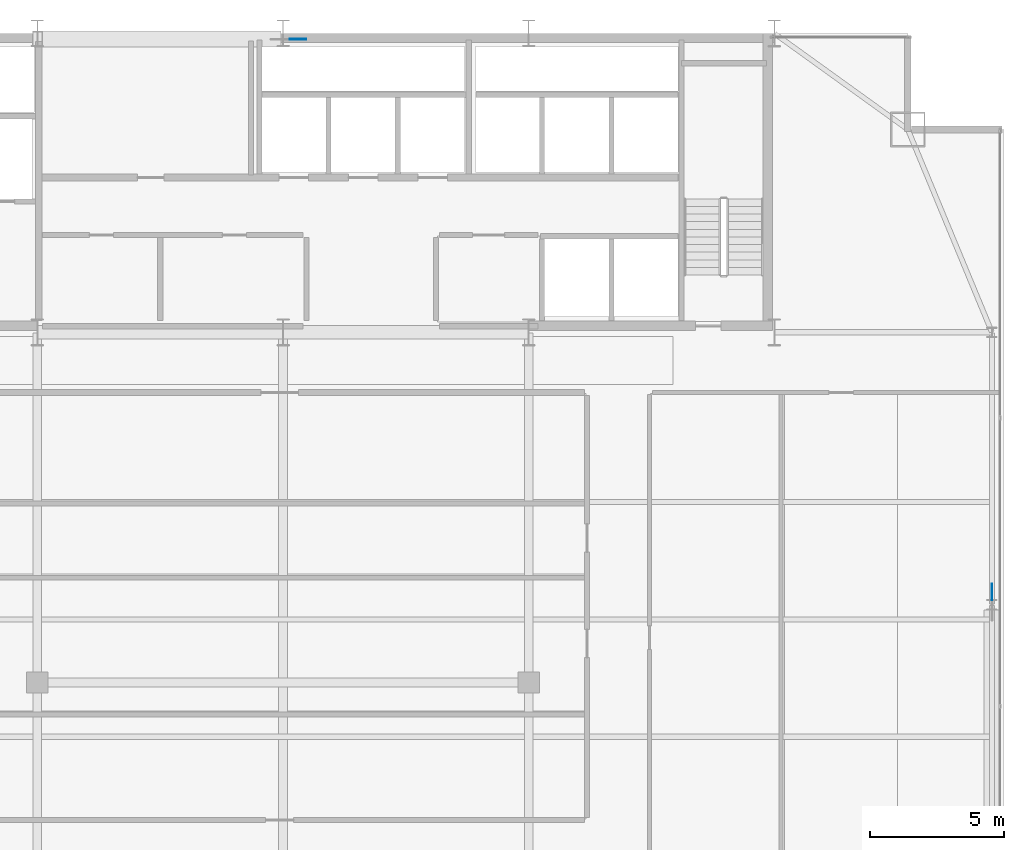
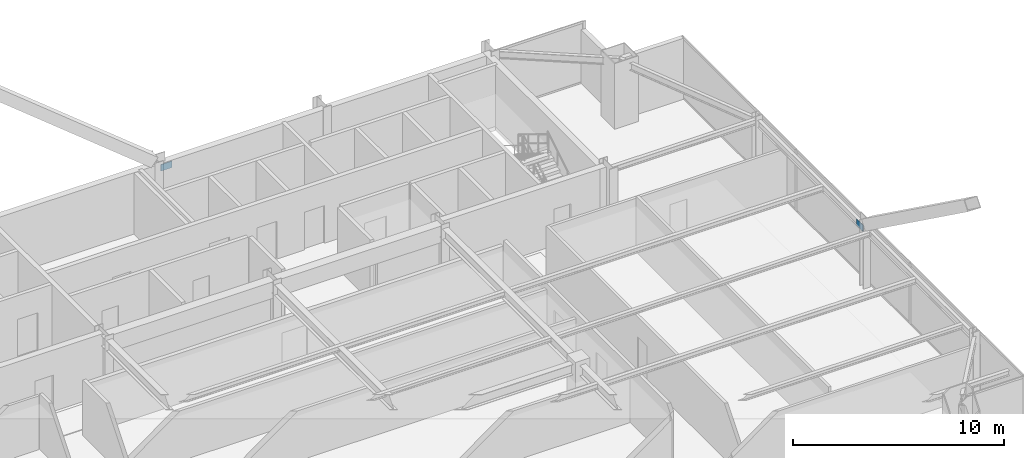
# One storey, part 25 of 30: 2 plates.
"""IFC4 building model written with IfcOpenShell, lengths in metres."""

from ifc_helpers import new_model, si_unit, direction, frame, origin, origin_2d, place, context, subcontext, project, spatial, rectangle, extrude, source, transform, mapped, material, layer, layer_set, type_object, type_shapes, element, save


model = new_model("IFC4")

# Units and contexts
model_context = context("Model", 3, precision=1e-05, world=origin(), true_north=direction((0.0, 1.0)))
body_context = subcontext(model_context, "Body", "Model", "MODEL_VIEW")
ifc_project = project(units=[si_unit("LENGTHUNIT", "METRE"), si_unit("AREAUNIT", "SQUARE_METRE"), si_unit("VOLUMEUNIT", "CUBIC_METRE"), si_unit("PLANEANGLEUNIT", "RADIAN"), si_unit("MASSUNIT", "GRAM", prefix="KILO")], contexts=[model_context])

# Site, building, storey
site_placement = place(None, origin())
site = spatial("IfcSite", under=ifc_project, at=site_placement, CompositionType="ELEMENT")
building_placement = place(site_placement, origin())
building = spatial("IfcBuilding", under=site, at=building_placement, Name="Varnel Quay Broadcast Tower", CompositionType="ELEMENT")
storey_placement = place(building_placement, frame((0.0, 0.0, 180.0)))
storey = spatial("IfcBuildingStorey", under=building, at=storey_placement, Name="L44", CompositionType="ELEMENT", Elevation=180.0)

# Plates
ifc_material = material(Name="Structural Steel CSA G40.21 350WT", Category="steel")
ifc_layer = layer(ifc_material, 0.031982421875, Name="Structural Steel CSA G40.21 350WT")
ifc_layer_set = layer_set([ifc_layer], Name="Structural Steel CSA G40.21 350WT")
plate_type = type_object("IfcPlateType", Name="Plate_EndCap", PredefinedType="USERDEFINED", material=ifc_layer_set)
shared_shape = source(origin(), body_context, "Body", "SweptSolid", [
    extrude(rectangle(XDim=0.6201171875, YDim=0.031982421875, at=origin_2d()), origin(), (0.0, 0.0, 1.0), 0.3798828125),
])
type_shapes(plate_type, [shared_shape])
for number, where, z_axis, x_axis, name in (
    (1, (34.553466796875, 46.580078125, 3.0224609375), (0.0, 0.0, 1.0), (1.0, 0.0, 0.0), "Zone 3 Mega-Brace N-CT3 Diag B1 End Connection Plate P1"),
    (2, (60.550048828125, 25.884521484375, 3.0478515625), (0.0, 0.0, 1.0), (0.0, 1.0, 0.0), "Zone 3 Mega-Brace E-FT3 Diag B1 End Connection Plate P1"),
):
    element("IfcPlate", number, at=place(storey_placement, frame(where, z_axis=z_axis, x_axis=x_axis)), inside=storey, type_object=plate_type, Name=name, ObjectType="CAP_PLATE", PredefinedType="USERDEFINED", context=body_context, shape_type="MappedRepresentation", body=[
        mapped(shared_shape, transform((0.0, 0.0, 0.0), x_axis=(1.0, 0.0, 0.0), y_axis=(0.0, 1.0, 0.0), z_axis=(0.0, 0.0, 1.0), scale=1.0)),
    ])

save(model, "model.ifc")
